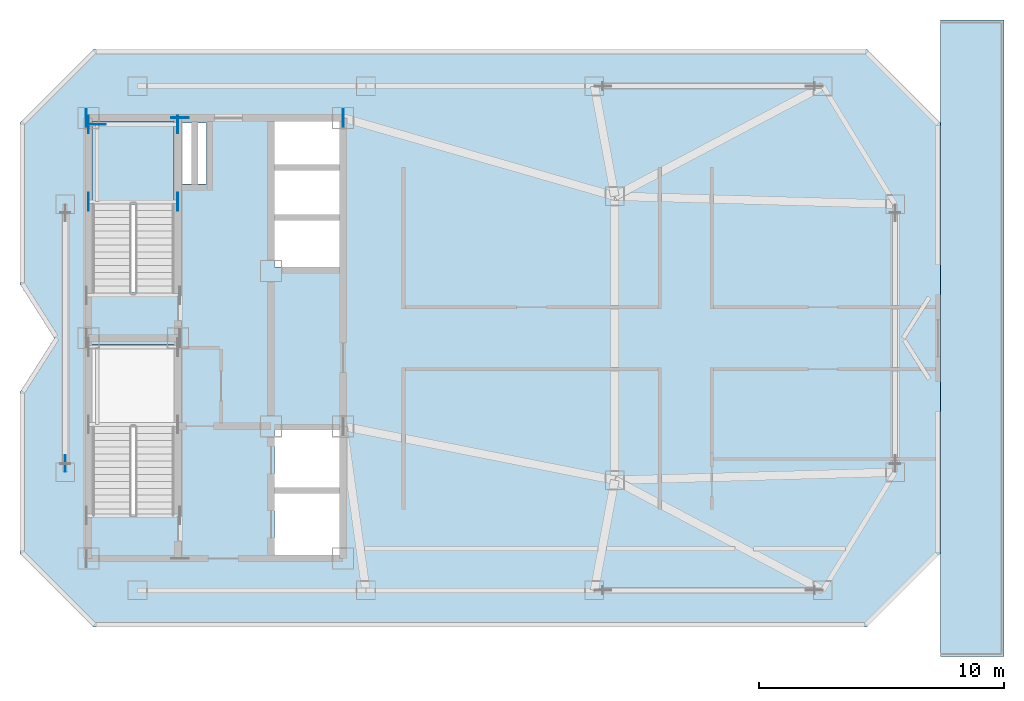
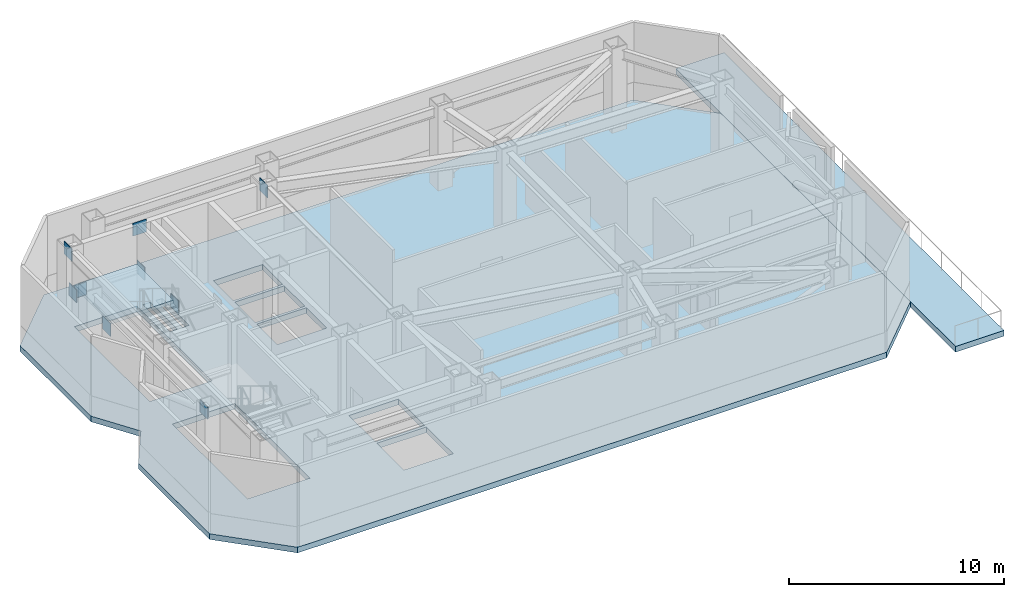
# One storey, part 2 of 10: 9 plates, 3 slabs, 1 element without a shape of its own.
"""IFC4 building model written with IfcOpenShell, lengths in metres."""

from ifc_helpers import new_model, si_unit, direction, frame, origin, origin_2d, place, context, subcontext, project, spatial, polyline, rectangle, outline, extrude, material, layer, layer_set, type_object, element, aggregate, save


model = new_model("IFC4")

# Units and contexts
model_context = context("Model", 3, precision=1e-05, world=origin(), true_north=direction((0.0, 1.0)))
body_context = subcontext(model_context, "Body", "Model", "MODEL_VIEW")
ifc_project = project(units=[si_unit("LENGTHUNIT", "METRE"), si_unit("AREAUNIT", "SQUARE_METRE"), si_unit("VOLUMEUNIT", "CUBIC_METRE"), si_unit("PLANEANGLEUNIT", "RADIAN"), si_unit("MASSUNIT", "GRAM", prefix="KILO")], contexts=[model_context])

# Site, building, storey
site_placement = place(None, origin())
site = spatial("IfcSite", under=ifc_project, at=site_placement, CompositionType="ELEMENT")
building_placement = place(site_placement, origin())
building = spatial("IfcBuilding", under=site, at=building_placement, Name="Khamvora Tower", CompositionType="ELEMENT")
storey_placement = place(building_placement, frame((0.0, 0.0, 303.050048828125)))
storey = spatial("IfcBuildingStorey", under=building, at=storey_placement, Name="L77", CompositionType="ELEMENT", Elevation=303.050048828125)

# Plates
ifc_material_1 = material(Name="Steel S460", Category="steel")
ifc_layer_1 = layer(ifc_material_1, 0.034912109375)
ifc_layer_set_1 = layer_set([ifc_layer_1], Name="Steel S460")
plate_type_1 = type_object("IfcPlateType", Name="PL-EMB-35", PredefinedType="SHEET", material=ifc_layer_set_1)
for number, where, z_axis, x_axis, name in (
    (1, (29.0, 33.574951171875, 1.708984375), (0.0, 0.0, 1.0), (1.0, 0.0, 0.0), "L77 core shear wall cast-in embed plate 2248"),
    (2, (32.64990234375, 33.574951171875, 1.708984375), (0.0, 0.0, 1.0), (1.0, 0.0, 0.0), "L77 core shear wall cast-in embed plate 2249"),
    (3, (29.0, 36.72998046875, 1.708984375), (0.0, 0.0, 1.0), (1.0, 0.0, 0.0), "L77 core shear wall cast-in embed plate 2250"),
    (4, (32.64990234375, 36.72998046875, 1.708984375), (0.0, 0.0, 1.0), (1.0, 0.0, 0.0), "L77 core shear wall cast-in embed plate 2251"),
):
    element("IfcPlate", number, at=place(storey_placement, frame(where, z_axis=z_axis, x_axis=x_axis)), inside=storey, type_object=plate_type_1, Name=name, PredefinedType="SHEET", context=body_context, shape_type="SweptSolid", body=[
        extrude(rectangle(XDim=0.034912109375, YDim=0.719970703125, at=origin_2d()), origin(), (0.0, 0.0, 1.0), 0.719970703125),
    ])
plate_1_placement = place(storey_placement, frame((29.35009765625, 36.72998046875, 1.708984375), z_axis=(0.0, 0.0, 1.0), x_axis=(1.0, 0.0, 0.0)))
element("IfcPlate", 5, at=plate_1_placement, inside=storey, type_object=plate_type_1, Name="L77 core shear wall cast-in embed plate 2252", PredefinedType="SHEET", context=body_context, shape_type="SweptSolid", body=[
    extrude(rectangle(XDim=0.719970703125, YDim=0.034912109375, at=origin_2d()), origin(), (0.0, 0.0, 1.0), 0.719970703125),
])
for number, where, z_axis, x_axis, name in (
    (6, (39.39990234375, 37.0, 3.841796875), (0.0, 0.0, 1.0), (1.0, 0.0, 0.0), "L77 core shear wall cast-in embed plate 2254"),
    (7, (28.89990234375, 37.0, 3.923828125), (0.0, 0.0, 1.0), (1.0, 0.0, 0.0), "L77 core shear wall cast-in embed plate 2257"),
):
    element("IfcPlate", number, at=place(storey_placement, frame(where, z_axis=z_axis, x_axis=x_axis)), inside=storey, type_object=plate_type_1, Name=name, PredefinedType="SHEET", context=body_context, shape_type="SweptSolid", body=[
        extrude(rectangle(XDim=0.034912109375, YDim=0.719970703125, at=origin_2d()), origin(), (0.0, 0.0, 1.0), 0.719970703125),
    ])
plate_2_placement = place(storey_placement, frame((32.72998046875, 37.0, 3.923828125), z_axis=(0.0, 0.0, 1.0), x_axis=(1.0, 0.0, 0.0)))
element("IfcPlate", 8, at=plate_2_placement, inside=storey, type_object=plate_type_1, Name="L77 core shear wall cast-in embed plate 2260", PredefinedType="SHEET", context=body_context, shape_type="SweptSolid", body=[
    extrude(rectangle(XDim=0.719970703125, YDim=0.034912109375, at=origin_2d()), origin(), (0.0, 0.0, 1.0), 0.719970703125),
])
ifc_layer_2 = layer(ifc_material_1, 0.0400390625)
ifc_layer_set_2 = layer_set([ifc_layer_2], Name="Steel S460")
plate_type_2 = type_object("IfcPlateType", Name="PLT-GUS-40", PredefinedType="SHEET", material=ifc_layer_set_2)
plate_3_placement = place(storey_placement, frame((28.050048828125, 22.883056640625, 3.81591796875), z_axis=(0.0, 0.0, 1.0), x_axis=(0.0, 1.0, 0.0)))
element("IfcPlate", 9, at=plate_3_placement, inside=storey, type_object=plate_type_2, Name="L77 brace connection node gusset plate 0466", PredefinedType="SHEET", context=body_context, shape_type="SweptSolid", body=[
    extrude(rectangle(XDim=0.679931640625, YDim=0.0400390625, at=origin_2d()), origin(), (0.0, 0.0, 1.0), 0.679931640625),
])

# Stair, slab
ifc_material_2 = material(Name="Concrete C40/50", Category="concrete")
stair_type = type_object("IfcStairType", Name="STR-ST-02", PredefinedType="HALF_TURN_STAIR", material=ifc_material_2)
stair_placement = place(storey_placement, origin())
stair = element("IfcStair", 10, at=stair_placement, inside=storey, type_object=stair_type, Name="L77 North Tower Exit Stair ST-02", PredefinedType="HALF_TURN_STAIR")
ifc_layer_3 = layer(ifc_material_2, 0.199951171875)
ifc_layer_set_3 = layer_set([ifc_layer_3], Name="Concrete C40/50")
slab_type_1 = type_object("IfcSlabType", Name="SLB-LND-200", PredefinedType="LANDING", material=ifc_layer_set_3)
slab_1_placement = place(storey_placement, frame((0.0, 0.0, 2.199951171875)))
slab_1 = element("IfcSlab", 11, at=slab_1_placement, type_object=slab_type_1, Name="ST-02 landing 1", PredefinedType="LANDING", context=body_context, shape_type="SweptSolid", body=[
    extrude(outline(polyline([(32.5, 33.455078125), (32.5, 36.85009765625), (29.14990234375, 36.85009765625), (29.14990234375, 33.455078125), (32.5, 33.455078125)])), origin(), (0.0, 0.0, 1.0), 0.199951171875),
])
aggregate(stair, [slab_1])

# Slabs
ifc_layer_4 = layer(ifc_material_2, 0.320068359375)
ifc_layer_set_4 = layer_set([ifc_layer_4], Name="Concrete C40/50")
slab_type_2 = type_object("IfcSlabType", Name="SLB-TRN-320", PredefinedType="FLOOR", material=ifc_layer_set_4)
slab_2_placement = place(storey_placement, frame((0.0, 0.0, -0.320068359375)))
element("IfcSlab", 12, at=slab_2_placement, inside=storey, type_object=slab_type_2, Name="L77 structural floor slab", PredefinedType="FLOOR", context=body_context, shape_type="SweptSolid", body=[
    extrude(outline(polyline([(63.800048828125, 19.199951171875), (60.800048828125, 16.199951171875), (29.199951171875, 16.199951171875), (26.199951171875, 19.199951171875), (26.199951171875, 25.800048828125), (27.60009765625, 28.0), (26.199951171875, 30.199951171875), (26.199951171875, 36.800048828125), (29.199951171875, 39.800048828125), (60.800048828125, 39.800048828125), (63.800048828125, 36.800048828125), (63.800048828125, 31.199951171875), (63.800048828125, 30.199951171875), (63.800048828125, 25.800048828125), (63.800048828125, 24.800048828125), (63.800048828125, 19.199951171875)]), holes=[polyline([(32.5, 20.760009765625), (32.5, 27.75), (29.14990234375, 27.75), (29.14990234375, 20.760009765625), (32.5, 20.760009765625)]), polyline([(32.5, 29.860107421875), (32.5, 36.85009765625), (29.14990234375, 36.85009765625), (29.14990234375, 29.860107421875), (32.5, 29.860107421875)]), polyline([(36.60009765625, 19.14990234375), (39.25, 19.14990234375), (39.25, 21.64990234375), (36.60009765625, 21.64990234375), (36.60009765625, 19.14990234375)]), polyline([(36.60009765625, 21.800048828125), (39.25, 21.800048828125), (39.25, 24.25), (36.60009765625, 24.25), (36.60009765625, 21.800048828125)]), polyline([(36.60009765625, 30.89990234375), (39.25, 30.89990234375), (39.25, 32.800048828125), (36.60009765625, 32.800048828125), (36.60009765625, 30.89990234375)]), polyline([(36.60009765625, 32.949951171875), (39.25, 32.949951171875), (39.25, 34.85009765625), (36.60009765625, 34.85009765625), (36.60009765625, 32.949951171875)]), polyline([(36.60009765625, 35.0), (39.25, 35.0), (39.25, 36.85009765625), (36.60009765625, 36.85009765625), (36.60009765625, 35.0)]), polyline([(32.800048828125, 34.300048828125), (33.199951171875, 34.300048828125), (33.199951171875, 36.800048828125), (32.800048828125, 36.800048828125), (32.800048828125, 34.300048828125)]), polyline([(33.47998046875, 34.300048828125), (33.820068359375, 34.300048828125), (33.820068359375, 36.800048828125), (33.47998046875, 36.800048828125), (33.47998046875, 34.300048828125)])]), origin(), (0.0, 0.0, 1.0), 0.320068359375),
])
slab_3_placement = place(storey_placement, frame((0.0, 0.0, -0.320068359375)))
element("IfcSlab", 13, at=slab_3_placement, inside=storey, type_object=slab_type_2, Name="L77 east crown terrace deck slab", PredefinedType="FLOOR", context=body_context, shape_type="SweptSolid", body=[
    extrude(outline(polyline([(63.803955078125, 15.0), (66.39990234375, 15.0), (66.39990234375, 41.0), (63.803955078125, 41.0), (63.803955078125, 15.0)])), origin(), (0.0, 0.0, 1.0), 0.320068359375),
])

save(model, "model.ifc")
